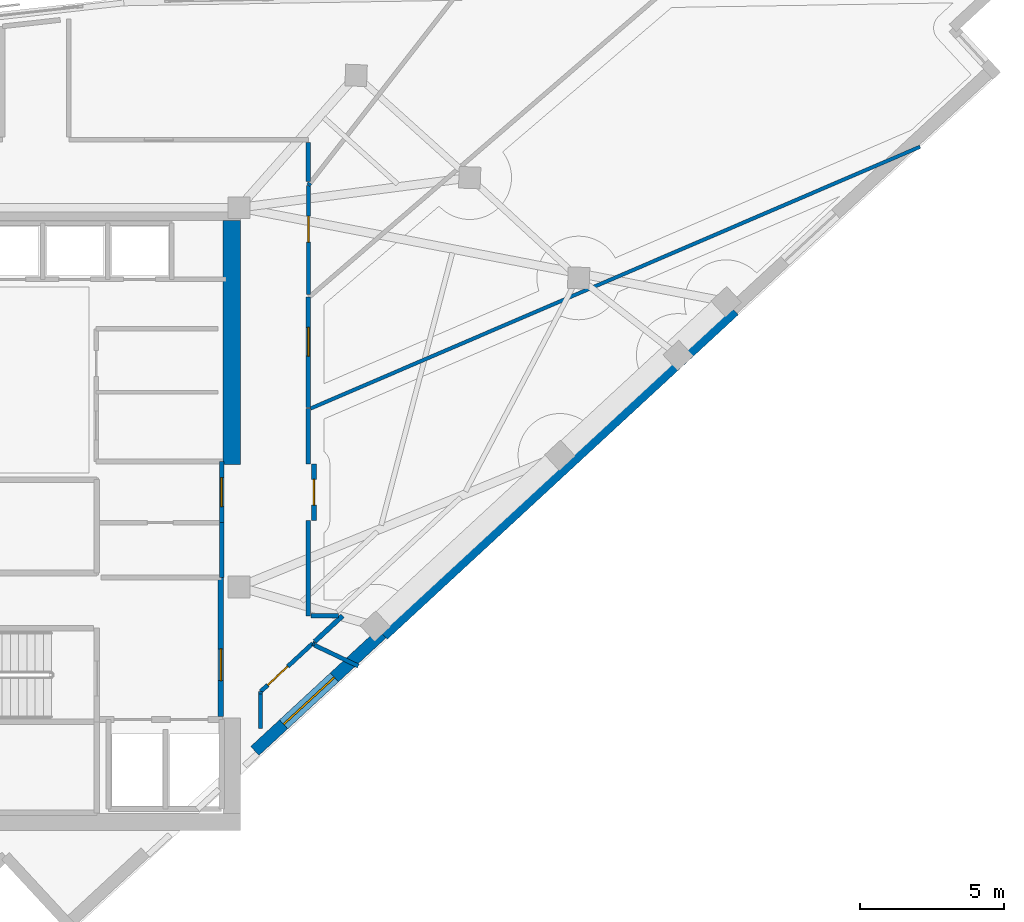
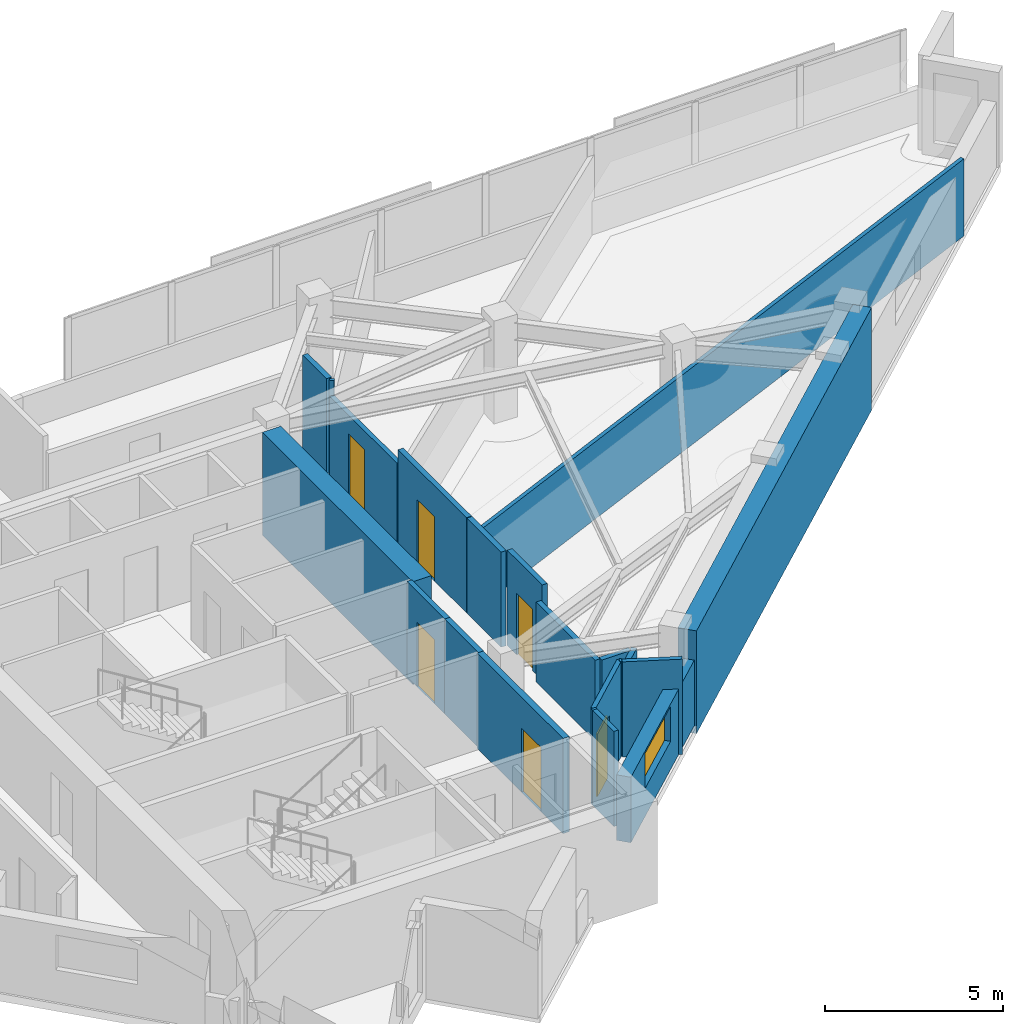
# One storey, part 10 of 13: 21 walls, 6 doors, 1 window, 7 openings.
"""IFC4 building model written with IfcOpenShell, lengths in metres."""

from ifc_helpers import new_model, si_unit, direction, frame, frame_2d, origin, place, context, subcontext, project, spatial, rectangle, extrude, material, layer, layer_set, type_object, element, fill, save


model = new_model("IFC4")

# Units and contexts
model_context = context("Model", 3, precision=1e-05, world=origin(), true_north=direction((0.0, 1.0)))
body_context = subcontext(model_context, "Body", "Model", "MODEL_VIEW")
ifc_project = project(units=[si_unit("LENGTHUNIT", "METRE"), si_unit("AREAUNIT", "SQUARE_METRE"), si_unit("VOLUMEUNIT", "CUBIC_METRE"), si_unit("PLANEANGLEUNIT", "RADIAN"), si_unit("MASSUNIT", "GRAM", prefix="KILO")], contexts=[model_context])

# Site, building, storey
site_placement = place(None, origin())
site = spatial("IfcSite", under=ifc_project, at=site_placement, CompositionType="ELEMENT")
building_placement = place(site_placement, origin())
building = spatial("IfcBuilding", under=site, at=building_placement, Name="Narakoshi Arena Tower", CompositionType="ELEMENT")
storey_placement = place(building_placement, frame((0.0, 0.0, 264.260009765625)))
storey = spatial("IfcBuildingStorey", under=building, at=storey_placement, Name="L72", CompositionType="ELEMENT", Elevation=264.260009765625)

# Wall
ifc_material_1 = material(Name="Concrete C50/60", Category="concrete")
ifc_layer_1 = layer(ifc_material_1, 0.60009765625)
ifc_layer_set_1 = layer_set([ifc_layer_1], Name="Concrete C50/60")
wall_type_1 = type_object("IfcWallType", Name="WL-CORE-600", PredefinedType="SHEAR", material=ifc_layer_set_1)
wall_1_placement = place(storey_placement, frame((85.300048828125, 47.60009765625, -0.260009765625), z_axis=(0.0, 0.0, 1.0), x_axis=(0.0, 1.0, 0.0)))
element("IfcWall", 1, at=wall_1_placement, inside=storey, type_object=wall_type_1, Name="L72 Main Core Shear Wall CW-MN-E", PredefinedType="SHEAR", context=body_context, shape_type="SweptSolid", body=[
    extrude(rectangle(XDim=8.449951171875, YDim=0.60009765625, at=frame_2d((4.22509765625, 0.0))), origin(), (0.0, 0.0, 1.0), 3.52001953125),
])

# Wall, opening, door
ifc_material_2 = material(Name="Gypsum plasterboard fire-rated partition")
ifc_layer_2 = layer(ifc_material_2, 0.1650390625)
ifc_layer_set_2 = layer_set([ifc_layer_2], Name="Gypsum plasterboard fire-rated partition")
wall_type_2 = type_object("IfcWallType", Name="WL-CORR-165", PredefinedType="PARTITIONING", material=ifc_layer_set_2)
wall_2_placement = place(storey_placement, frame((84.949951171875, 45.580078125, 0.0), z_axis=(0.0, 0.0, 1.0), x_axis=(0.0, 1.0, 0.0)))
wall_2 = element("IfcWall", 2, at=wall_2_placement, inside=storey, type_object=wall_type_2, Name="L72 Core Wall CPAS-E", PredefinedType="PARTITIONING", context=body_context, shape_type="SweptSolid", body=[
    extrude(rectangle(XDim=2.119873046875, YDim=0.1650390625, at=frame_2d((1.06005859375, 0.0))), origin(), (0.0, 0.0, 1.0), 3.260009765625),
])
opening_1_placement = place(wall_2_placement, frame((0.56005859375, 0.0, 0.0)))
opening_1 = element("IfcOpeningElement", 3, at=opening_1_placement, cuts=wall_2, Name="Opening D-06", PredefinedType="OPENING", context=body_context, shape_type="SweptSolid", body=[
    extrude(rectangle(XDim=1.0, YDim=2.199951171875, at=frame_2d((0.5, 1.10009765625))), frame((0.0, 0.092529296875, 0.0), z_axis=(0.0, -1.0, 0.0), x_axis=(1.0, 0.0, 0.0)), (0.0, 0.0, 1.0), 0.18505859375),
])
ifc_material_3 = material(Name="Stained oak solid-core timber", Category="wood")
door_type_1 = type_object("IfcDoorType", Name="DR-OFF-1000", OperationType="NOTDEFINED", PredefinedType="DOOR", material=ifc_material_3)
door_1_placement = place(opening_1_placement, frame((1.0, 0.0, 0.0), z_axis=(0.0, 0.0, 1.0), x_axis=(-1.0, 0.0, 0.0)))
door_1 = element("IfcDoor", 4, at=door_1_placement, inside=storey, type_object=door_type_1, Name="DR-L72-007", OperationType="SINGLE_SWING_LEFT", OverallHeight=2.199951171875, OverallWidth=1.0, PredefinedType="DOOR", context=body_context, shape_type="SweptSolid", body=[
    extrude(rectangle(XDim=1.0, YDim=2.199951171875, at=frame_2d((0.5, 1.10009765625))), frame((0.0, 0.02490234375, 0.0), z_axis=(0.0, -1.0, 0.0), x_axis=(1.0, 0.0, 0.0)), (0.0, 0.0, 1.0), 0.050048828125),
])
fill(opening_1, door_1)

# Wall
wall_3_placement = place(storey_placement, frame((87.955322265625, 42.35009765625, 0.0), z_axis=(0.0, 0.0, 1.0), x_axis=(0.0, 1.0, 0.0)))
element("IfcWall", 5, at=wall_3_placement, inside=storey, type_object=wall_type_2, Name="L72 Corridor Partition 03-1", PredefinedType="PARTITIONING", context=body_context, shape_type="SweptSolid", body=[
    extrude(rectangle(XDim=3.2998046875, YDim=0.1650390625, at=frame_2d((1.64990234375, 0.0))), origin(), (0.0, 0.0, 1.0), 2.744873046875),
])

# Wall, opening, door
wall_4_placement = place(storey_placement, frame((88.14990234375, 45.64990234375, 0.0), z_axis=(0.0, 0.0, 1.0), x_axis=(0.0, 1.0, 0.0)))
wall_4 = element("IfcWall", 6, at=wall_4_placement, inside=storey, type_object=wall_type_2, Name="L72 Corridor Partition 03-2", PredefinedType="PARTITIONING", context=body_context, shape_type="SweptSolid", body=[
    extrude(rectangle(XDim=1.97021484375, YDim=0.1650390625, at=frame_2d((0.985107421875, 0.0))), origin(), (0.0, 0.0, 1.0), 3.260009765625),
])
opening_2_placement = place(wall_4_placement, frame((0.534912109375, 0.0, 0.0)))
opening_2 = element("IfcOpeningElement", 7, at=opening_2_placement, cuts=wall_4, Name="Opening D-08", PredefinedType="OPENING", context=body_context, shape_type="SweptSolid", body=[
    extrude(rectangle(XDim=0.89990234375, YDim=2.10009765625, at=frame_2d((0.449951171875, 1.050048828125))), frame((0.0, 0.092529296875, 0.0), z_axis=(0.0, -1.0, 0.0), x_axis=(1.0, 0.0, 0.0)), (0.0, 0.0, 1.0), 0.18505859375),
])
ifc_material_4 = material(Name="Moisture-resistant laminate timber", Category="wood")
door_type_2 = type_object("IfcDoorType", Name="DR-WC-900", OperationType="NOTDEFINED", PredefinedType="DOOR", material=ifc_material_4)
door_2_placement = place(opening_2_placement, frame((0.89990234375, 0.0, 0.0), z_axis=(0.0, 0.0, 1.0), x_axis=(-1.0, 0.0, 0.0)))
door_2 = element("IfcDoor", 8, at=door_2_placement, inside=storey, type_object=door_type_2, Name="DR-L72-018", OperationType="SINGLE_SWING_RIGHT", OverallHeight=2.10009765625, OverallWidth=0.89990234375, PredefinedType="DOOR", context=body_context, shape_type="SweptSolid", body=[
    extrude(rectangle(XDim=0.89990234375, YDim=2.10009765625, at=frame_2d((0.449951171875, 1.050048828125))), frame((0.0, 0.02490234375, 0.0), z_axis=(0.0, -1.0, 0.0), x_axis=(1.0, 0.0, 0.0)), (0.0, 0.0, 1.0), 0.050048828125),
])
fill(opening_2, door_2)

# Walls
wall_5_placement = place(storey_placement, frame((87.955322265625, 47.6201171875, 0.0), z_axis=(0.0, 0.0, 1.0), x_axis=(0.0, 1.0, 0.0)))
element("IfcWall", 9, at=wall_5_placement, inside=storey, type_object=wall_type_2, Name="L72 Corridor Partition 03-3", PredefinedType="PARTITIONING", context=body_context, shape_type="SweptSolid", body=[
    extrude(rectangle(XDim=1.919189453125, YDim=0.1650390625, at=frame_2d((0.95947265625, 0.0))), origin(), (0.0, 0.0, 1.0), 3.260009765625),
])
wall_6_placement = place(storey_placement, frame((88.175537109375, 41.4560546875, 0.0), z_axis=(0.0, 0.0, 1.0), x_axis=(0.734277298653, 0.678849651014, 0.0)))
element("IfcWall", 10, at=wall_6_placement, inside=storey, type_object=wall_type_2, Name="L72 Corridor Partition 03-4", PredefinedType="PARTITIONING", context=body_context, shape_type="SweptSolid", body=[
    extrude(rectangle(XDim=1.31689453125, YDim=0.1650390625, at=frame_2d((0.658447265625, 0.0))), origin(), (0.0, 0.0, 1.0), 2.744873046875),
])
wall_7_placement = place(storey_placement, frame((89.00341796875, 42.35009765625, 0.0), z_axis=(0.0, 0.0, 1.0), x_axis=(-1.0, 0.0, 0.0)))
element("IfcWall", 11, at=wall_7_placement, inside=storey, type_object=wall_type_2, Name="L72 Corridor Partition 03-5", PredefinedType="PARTITIONING", context=body_context, shape_type="SweptSolid", body=[
    extrude(rectangle(XDim=0.95361328125, YDim=0.1650390625, at=frame_2d((0.476806640625, 0.0))), origin(), (0.0, 0.0, 1.0), 2.744873046875),
])

# Wall, opening, door
wall_8_placement = place(storey_placement, frame((87.955322265625, 49.5654296875, 0.0), z_axis=(0.0, 0.0, 1.0), x_axis=(0.0, 1.0, 0.0)))
wall_8 = element("IfcWall", 12, at=wall_8_placement, inside=storey, type_object=wall_type_2, Name="L72 Corridor Partition 04-1", PredefinedType="PARTITIONING", context=body_context, shape_type="SweptSolid", body=[
    extrude(rectangle(XDim=3.840576171875, YDim=0.1650390625, at=frame_2d((1.92041015625, 0.0))), origin(), (0.0, 0.0, 1.0), 3.260009765625),
])
opening_3_placement = place(wall_8_placement, frame((1.786376953125, 0.0, 0.0)))
opening_3 = element("IfcOpeningElement", 13, at=opening_3_placement, cuts=wall_8, Name="Opening D-06", PredefinedType="OPENING", context=body_context, shape_type="SweptSolid", body=[
    extrude(rectangle(XDim=1.0, YDim=2.199951171875, at=frame_2d((0.5, 1.10009765625))), frame((0.0, 0.092529296875, 0.0), z_axis=(0.0, -1.0, 0.0), x_axis=(1.0, 0.0, 0.0)), (0.0, 0.0, 1.0), 0.18505859375),
])
door_3_placement = place(opening_3_placement, frame((1.0, 0.0, 0.0), z_axis=(0.0, 0.0, 1.0), x_axis=(-1.0, 0.0, 0.0)))
door_3 = element("IfcDoor", 14, at=door_3_placement, inside=storey, type_object=door_type_1, Name="DR-L72-019", OperationType="SINGLE_SWING_LEFT", OverallHeight=2.199951171875, OverallWidth=1.0, PredefinedType="DOOR", context=body_context, shape_type="SweptSolid", body=[
    extrude(rectangle(XDim=1.0, YDim=2.199951171875, at=frame_2d((0.5, 1.10009765625))), frame((0.0, 0.02490234375, 0.0), z_axis=(0.0, -1.0, 0.0), x_axis=(1.0, 0.0, 0.0)), (0.0, 0.0, 1.0), 0.050048828125),
])
fill(opening_3, door_3)

# Walls
wall_9_placement = place(storey_placement, frame((87.955322265625, 57.41552734375, 0.0), z_axis=(0.0, 0.0, 1.0), x_axis=(0.0, 1.0, 0.0)))
element("IfcWall", 15, at=wall_9_placement, inside=storey, type_object=wall_type_2, Name="L72 Corridor Partition 06-3", PredefinedType="PARTITIONING", context=body_context, shape_type="SweptSolid", body=[
    extrude(rectangle(XDim=1.345458984375, YDim=0.1650390625, at=frame_2d((0.6728515625, 0.0))), origin(), (0.0, 0.0, 1.0), 3.260009765625),
])
ifc_layer_3 = layer(ifc_material_1, 0.550048828125)
ifc_layer_set_3 = layer_set([ifc_layer_3], Name="Concrete C50/60")
wall_type_3 = type_object("IfcWallType", Name="WL-LEG-550", PredefinedType="SHEAR", material=ifc_layer_set_3)
wall_10_placement = place(storey_placement, frame((90.5078125, 41.739501953125, -0.260009765625), z_axis=(0.0, 0.0, 1.0), x_axis=(0.734315848115, 0.678807951638, 0.0)))
element("IfcWall", 16, at=wall_10_placement, inside=storey, type_object=wall_type_3, Name="L72 Architectural Concrete Structural Wall LEGA-3", PredefinedType="SHEAR", context=body_context, shape_type="SweptSolid", body=[
    extrude(rectangle(XDim=16.57275390625, YDim=0.550048828125, at=frame_2d((8.286376953125, 0.0))), origin(), (0.0, 0.0, 1.0), 3.52001953125),
])
ifc_layer_4 = layer(ifc_material_2, 0.125)
ifc_layer_set_4 = layer_set([ifc_layer_4], Name="Gypsum plasterboard fire-rated partition")
wall_type_4 = type_object("IfcWallType", Name="WL-PART-125", PredefinedType="PARTITIONING", material=ifc_layer_set_4)
wall_11_placement = place(storey_placement, frame((88.0341796875, 49.539306640625, 0.0), z_axis=(0.0, 0.0, 1.0), x_axis=(0.918860946412, 0.394581501287, 0.0)))
element("IfcWall", 17, at=wall_11_placement, inside=storey, type_object=wall_type_4, Name="L72 Inter-Room Partition 03-04", PredefinedType="PARTITIONING", context=body_context, shape_type="SweptSolid", body=[
    extrude(rectangle(XDim=23.000732421875, YDim=0.125, at=frame_2d((11.50048828125, 0.0))), origin(), (0.0, 0.0, 1.0), 2.64501953125),
])

# Wall, opening, window
ifc_material_5 = material(Name="Precast concrete C45/55", Category="concrete")
ifc_layer_5 = layer(ifc_material_5, 0.419921875)
ifc_layer_set_5 = layer_set([ifc_layer_5], Name="Precast concrete C45/55")
wall_type_5 = type_object("IfcWallType", Name="WL-POD-420", PredefinedType="SOLIDWALL", material=ifc_layer_set_5)
wall_12_placement = place(storey_placement, frame((86.10009765625, 37.6650390625, 0.0), z_axis=(0.0, 0.0, 1.0), x_axis=(0.734321413343, 0.678801931277, 0.0)))
wall_12 = element("IfcWall", 18, at=wall_12_placement, inside=storey, type_object=wall_type_5, Name="L72 Architectural Concrete Facade Wall LEGA-2", PredefinedType="SOLIDWALL", context=body_context, shape_type="SweptSolid", body=[
    extrude(rectangle(XDim=6.00244140625, YDim=0.419921875, at=frame_2d((3.001220703125, 0.0))), origin(), (0.0, 0.0, 1.0), 2.244873046875),
])
opening_4_placement = place(wall_12_placement, frame((1.357177734375, 0.0, 0.965087890625)))
opening_4 = element("IfcOpeningElement", 19, at=opening_4_placement, cuts=wall_12, Name="Opening WN-04", PredefinedType="OPENING", context=body_context, shape_type="SweptSolid", body=[
    extrude(rectangle(XDim=2.39990234375, YDim=1.199951171875, at=frame_2d((1.199951171875, 0.60009765625))), frame((0.0, 0.219970703125, 0.0), z_axis=(0.0, -1.0, 0.0), x_axis=(1.0, 0.0, 0.0)), (0.0, 0.0, 1.0), 0.43994140625),
])
ifc_material_6 = material(Name="Bronze-tinted low-E laminated glass", Category="glass")
window_type = type_object("IfcWindowType", Name="WIN-SLT-24x12", PartitioningType="SINGLE_PANEL", PredefinedType="WINDOW", material=ifc_material_6)
window_placement = place(opening_4_placement, origin())
window = element("IfcWindow", 20, at=window_placement, inside=storey, type_object=window_type, Name="L72 LEGA2 Horizontal Slot Window 1", OverallHeight=1.199951171875, OverallWidth=2.39990234375, PartitioningType="SINGLE_PANEL", PredefinedType="WINDOW", context=body_context, shape_type="SweptSolid", body=[
    extrude(rectangle(XDim=2.39990234375, YDim=1.199951171875, at=frame_2d((1.199951171875, 0.60009765625))), frame((0.0, 0.030029296875, 0.0), z_axis=(0.0, -1.0, 0.0), x_axis=(1.0, 0.0, 0.0)), (0.0, 0.0, 1.0), 0.06005859375),
])
fill(opening_4, window)

# Wall
ifc_material_7 = material(Name="Concrete C40/50", Category="concrete")
ifc_layer_6 = layer(ifc_material_7, 0.280029296875)
ifc_layer_set_6 = layer_set([ifc_layer_6], Name="Concrete C40/50")
wall_type_6 = type_object("IfcWallType", Name="WL-RISER-280", PredefinedType="PLUMBINGWALL", material=ifc_layer_set_6)
wall_13_placement = place(storey_placement, frame((84.949951171875, 43.679931640625, 0.0), z_axis=(0.0, 0.0, 1.0), x_axis=(0.0, 1.0, 0.0)))
element("IfcWall", 21, at=wall_13_placement, inside=storey, type_object=wall_type_6, Name="L72 Core Wall RSR-E", PredefinedType="PLUMBINGWALL", context=body_context, shape_type="SweptSolid", body=[
    extrude(rectangle(XDim=1.900146484375, YDim=0.1650390625, at=frame_2d((0.9501953125, 0.0))), origin(), (0.0, 0.0, 1.0), 3.260009765625),
])

# Wall, opening, door
ifc_layer_7 = layer(ifc_material_1, 0.35009765625)
ifc_layer_set_7 = layer_set([ifc_layer_7], Name="Concrete C50/60")
wall_type_7 = type_object("IfcWallType", Name="WL-SHAFT-350", PredefinedType="SOLIDWALL", material=ifc_layer_set_7)
wall_14_placement = place(storey_placement, frame((84.919921875, 38.85009765625, 0.0), z_axis=(0.0, 0.0, 1.0), x_axis=(0.0, 1.0, 0.0)))
wall_14 = element("IfcWall", 22, at=wall_14_placement, inside=storey, type_object=wall_type_7, Name="L72 Core Wall FFLOB-E", PredefinedType="SOLIDWALL", context=body_context, shape_type="SweptSolid", body=[
    extrude(rectangle(XDim=4.829833984375, YDim=0.199951171875, at=frame_2d((2.4150390625, 0.0))), origin(), (0.0, 0.0, 1.0), 3.260009765625),
])
opening_5_placement = place(wall_14_placement, frame((1.25, 0.0, 0.0)))
opening_5 = element("IfcOpeningElement", 23, at=opening_5_placement, cuts=wall_14, Name="Opening D-04", PredefinedType="OPENING", context=body_context, shape_type="SweptSolid", body=[
    extrude(rectangle(XDim=1.10009765625, YDim=2.199951171875, at=frame_2d((0.550048828125, 1.10009765625))), frame((0.0, 0.10986328125, 0.0), z_axis=(0.0, -1.0, 0.0), x_axis=(1.0, 0.0, 0.0)), (0.0, 0.0, 1.0), 0.219970703125),
])
ifc_material_8 = material(Name="Painted galvanized steel", Category="steel")
door_type_3 = type_object("IfcDoorType", Name="DR-FFL-1100", OperationType="NOTDEFINED", PredefinedType="DOOR", material=ifc_material_8)
door_4_placement = place(opening_5_placement, frame((1.10009765625, 0.0, 0.0), z_axis=(0.0, 0.0, 1.0), x_axis=(-1.0, 0.0, 0.0)))
door_4 = element("IfcDoor", 24, at=door_4_placement, inside=storey, type_object=door_type_3, Name="DR-L72-005", OperationType="SINGLE_SWING_RIGHT", OverallHeight=2.199951171875, OverallWidth=1.10009765625, PredefinedType="DOOR", context=body_context, shape_type="SweptSolid", body=[
    extrude(rectangle(XDim=1.10009765625, YDim=2.199951171875, at=frame_2d((0.550048828125, 1.10009765625))), frame((0.0, 0.02490234375, 0.0), z_axis=(0.0, -1.0, 0.0), x_axis=(1.0, 0.0, 0.0)), (0.0, 0.0, 1.0), 0.050048828125),
])
fill(opening_5, door_4)

ifc_material_9 = material(Name="Moisture-resistant cement-board partition")
ifc_layer_8 = layer(ifc_material_9, 0.14501953125)
ifc_layer_set_8 = layer_set([ifc_layer_8], Name="Moisture-resistant cement-board partition")
wall_type_8 = type_object("IfcWallType", Name="WL-WET-145", PredefinedType="PARTITIONING", material=ifc_layer_set_8)
wall_15_placement = place(storey_placement, frame((86.300048828125, 39.722412109375, 0.0), z_axis=(0.0, 0.0, 1.0), x_axis=(0.73432428775, 0.678798821758, 0.0)))
wall_15 = element("IfcWall", 25, at=wall_15_placement, inside=storey, type_object=wall_type_8, Name="L72 Corridor Partition 02-1", PredefinedType="PARTITIONING", context=body_context, shape_type="SweptSolid", body=[
    extrude(rectangle(XDim=2.462158203125, YDim=0.14501953125, at=frame_2d((1.23095703125, 0.0))), origin(), (0.0, 0.0, 1.0), 3.260009765625),
])
opening_6_placement = place(wall_15_placement, frame((0.33349609375, 0.0, 0.0)))
opening_6 = element("IfcOpeningElement", 26, at=opening_6_placement, cuts=wall_15, Name="Opening D-07", PredefinedType="OPENING", context=body_context, shape_type="SweptSolid", body=[
    extrude(rectangle(XDim=0.949951171875, YDim=2.14990234375, at=frame_2d((0.47509765625, 1.074951171875))), frame((0.0, 0.08251953125, 0.0), z_axis=(0.0, -1.0, 0.0), x_axis=(1.0, 0.0, 0.0)), (0.0, 0.0, 1.0), 0.1650390625),
])
door_type_4 = type_object("IfcDoorType", Name="DR-ACC-950", OperationType="NOTDEFINED", PredefinedType="DOOR", material=ifc_material_3)
door_5_placement = place(opening_6_placement, frame((0.949951171875, 0.0, 0.0), z_axis=(0.0, 0.0, 1.0), x_axis=(-1.0, 0.0, 0.0)))
door_5 = element("IfcDoor", 27, at=door_5_placement, inside=storey, type_object=door_type_4, Name="DR-L72-017", OperationType="SINGLE_SWING_RIGHT", OverallHeight=2.14990234375, OverallWidth=0.949951171875, PredefinedType="DOOR", context=body_context, shape_type="SweptSolid", body=[
    extrude(rectangle(XDim=0.949951171875, YDim=2.14990234375, at=frame_2d((0.47509765625, 1.074951171875))), frame((0.0, 0.02490234375, 0.0), z_axis=(0.0, -1.0, 0.0), x_axis=(1.0, 0.0, 0.0)), (0.0, 0.0, 1.0), 0.050048828125),
])
fill(opening_6, door_5)

# Walls
wall_16_placement = place(storey_placement, frame((86.300048828125, 39.640625, 0.0), z_axis=(0.0, 0.0, 1.0), x_axis=(0.0, 1.0, 0.0)))
element("IfcWall", 28, at=wall_16_placement, inside=storey, type_object=wall_type_8, Name="L72 Corridor Partition 02-2", PredefinedType="PARTITIONING", context=body_context, shape_type="SweptSolid", body=[
    extrude(rectangle(XDim=0.081787109375, YDim=0.14501953125, at=frame_2d((0.041015625, 0.0))), origin(), (0.0, 0.0, 1.0), 3.260009765625),
])
wall_17_placement = place(storey_placement, frame((88.108154296875, 41.393798828125, 0.0), z_axis=(0.0, 0.0, 1.0), x_axis=(0.91241264122, -0.409271513963, 0.0)))
element("IfcWall", 29, at=wall_17_placement, inside=storey, type_object=wall_type_8, Name="L72 Corridor Partition 02-3", PredefinedType="PARTITIONING", context=body_context, shape_type="SweptSolid", body=[
    extrude(rectangle(XDim=0.06494140625, YDim=0.14501953125, at=frame_2d((0.032470703125, 0.0))), origin(), (0.0, 0.0, 1.0), 3.260009765625),
])
wall_18_placement = place(storey_placement, frame((88.165283203125, 41.331787109375, 0.0), z_axis=(0.0, 0.0, 1.0), x_axis=(0.90322139886, -0.429174911477, 0.0)))
element("IfcWall", 30, at=wall_18_placement, inside=storey, type_object=wall_type_8, Name="L72 Inter-Room Partition 02-03", PredefinedType="PARTITIONING", context=body_context, shape_type="SweptSolid", body=[
    extrude(rectangle(XDim=1.686767578125, YDim=0.14501953125, at=frame_2d((0.84326171875, 0.0))), origin(), (0.0, 0.0, 1.0), 3.260009765625),
])

# Wall, opening, door
wall_19_placement = place(storey_placement, frame((87.955322265625, 53.489013671875, 0.0), z_axis=(0.0, 0.0, 1.0), x_axis=(0.0, 1.0, 0.0)))
wall_19 = element("IfcWall", 31, at=wall_19_placement, inside=storey, type_object=wall_type_8, Name="L72 Corridor Partition 05-1", PredefinedType="PARTITIONING", context=body_context, shape_type="SweptSolid", body=[
    extrude(rectangle(XDim=3.788818359375, YDim=0.14501953125, at=frame_2d((1.89453125, 0.0))), origin(), (0.0, 0.0, 1.0), 2.744873046875),
])
opening_7_placement = place(wall_19_placement, frame((1.81787109375, 0.0, 0.0)))
opening_7 = element("IfcOpeningElement", 32, at=opening_7_placement, cuts=wall_19, Name="Opening D-08", PredefinedType="OPENING", context=body_context, shape_type="SweptSolid", body=[
    extrude(rectangle(XDim=0.89990234375, YDim=2.10009765625, at=frame_2d((0.449951171875, 1.050048828125))), frame((0.0, 0.08251953125, 0.0), z_axis=(0.0, -1.0, 0.0), x_axis=(1.0, 0.0, 0.0)), (0.0, 0.0, 1.0), 0.1650390625),
])
door_6_placement = place(opening_7_placement, frame((0.89990234375, 0.0, 0.0), z_axis=(0.0, 0.0, 1.0), x_axis=(-1.0, 0.0, 0.0)))
door_6 = element("IfcDoor", 33, at=door_6_placement, inside=storey, type_object=door_type_2, Name="DR-L72-020", OperationType="SINGLE_SWING_RIGHT", OverallHeight=2.10009765625, OverallWidth=0.89990234375, PredefinedType="DOOR", context=body_context, shape_type="SweptSolid", body=[
    extrude(rectangle(XDim=0.89990234375, YDim=2.10009765625, at=frame_2d((0.449951171875, 1.050048828125))), frame((0.0, 0.02490234375, 0.0), z_axis=(0.0, -1.0, 0.0), x_axis=(1.0, 0.0, 0.0)), (0.0, 0.0, 1.0), 0.050048828125),
])
fill(opening_7, door_6)

# Walls
wall_20_placement = place(storey_placement, frame((87.955322265625, 57.27783203125, 0.0), z_axis=(0.0, 0.0, 1.0), x_axis=(0.616713761842, 0.787187484628, 0.0)))
element("IfcWall", 34, at=wall_20_placement, inside=storey, type_object=wall_type_8, Name="L72 Corridor Partition 05-2", PredefinedType="PARTITIONING", context=body_context, shape_type="SweptSolid", body=[
    extrude(rectangle(XDim=0.097412109375, YDim=0.14501953125, at=frame_2d((0.048828125, 0.0))), origin(), (0.0, 0.0, 1.0), 3.260009765625),
])
wall_21_placement = place(storey_placement, frame((86.300048828125, 38.435546875, 0.0), z_axis=(0.0, 0.0, 1.0), x_axis=(0.0, 1.0, 0.0)))
element("IfcWall", 35, at=wall_21_placement, inside=storey, type_object=wall_type_8, Name="L72 Room Enclosure Partition 02-1", PredefinedType="PARTITIONING", context=body_context, shape_type="SweptSolid", body=[
    extrude(rectangle(XDim=1.205078125, YDim=0.14501953125, at=frame_2d((0.6025390625, 0.0))), origin(), (0.0, 0.0, 1.0), 3.260009765625),
])

save(model, "model.ifc")
